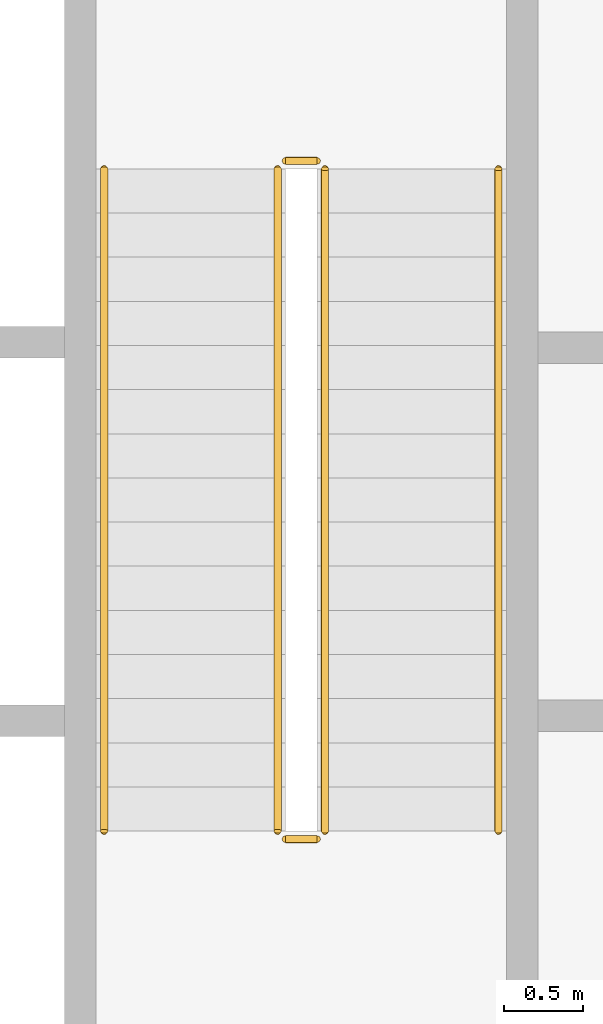
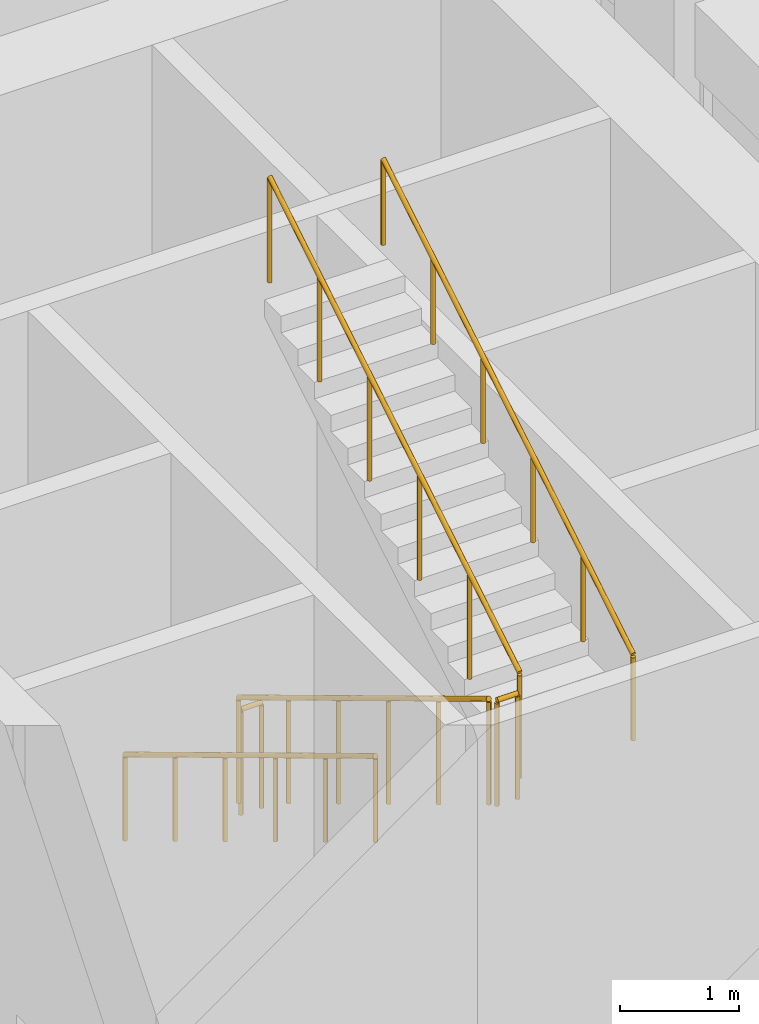
# One storey, part 27 of 28: 6 railings.
"""IFC4 building model written with IfcOpenShell, lengths in metres."""

from ifc_helpers import new_model, si_unit, direction, frame, origin, origin_2d, place, context, subcontext, project, spatial, circle, extrude, material, type_object, element, save


model = new_model("IFC4")

# Units and contexts
model_context = context("Model", 3, precision=1e-05, world=origin(), true_north=direction((0.0, 1.0)))
body_context = subcontext(model_context, "Body", "Model", "MODEL_VIEW")
ifc_project = project(units=[si_unit("LENGTHUNIT", "METRE"), si_unit("AREAUNIT", "SQUARE_METRE"), si_unit("VOLUMEUNIT", "CUBIC_METRE"), si_unit("PLANEANGLEUNIT", "RADIAN"), si_unit("MASSUNIT", "GRAM", prefix="KILO")], contexts=[model_context])

# Site, building, storey
site_placement = place(None, origin())
site = spatial("IfcSite", under=ifc_project, at=site_placement, CompositionType="ELEMENT")
building_placement = place(site_placement, origin())
building = spatial("IfcBuilding", under=site, at=building_placement, Name="Kiln Ring Residences", CompositionType="ELEMENT")
storey_placement = place(building_placement, frame((0.0, 0.0, 178.10009765625)))
storey = spatial("IfcBuildingStorey", under=building, at=storey_placement, Name="L46", CompositionType="ELEMENT", Elevation=178.10009765625)

# Railings
ifc_material_1 = material(Name="Stainless steel", Category="steel")
railing_type_1 = type_object("IfcRailingType", Name="CORE-STAIR-GUARD", PredefinedType="GUARDRAIL", material=ifc_material_1)
railing_1_placement = place(storey_placement, frame((21.949951171875, 8.39990234375, 0.168701171875)))
element("IfcRailing", 1, at=railing_1_placement, inside=storey, type_object=railing_type_1, Name="L46 E-STN stair guard 1", PredefinedType="GUARDRAIL", context=body_context, shape_type="SweptSolid", body=[
    extrude(circle(Radius=0.02392578125, at=origin_2d()), frame((0.0, 0.0, 1.076171875), z_axis=(0.0, -0.856476492594, 0.516186030065), x_axis=(1.0, 0.0, 0.0)), (0.0, 0.0, 1.0), 4.90380859375),
    extrude(circle(Radius=0.02099609375, at=origin_2d()), origin(), (0.0, 0.0, 1.0), 1.052001953125),
    extrude(circle(Radius=0.02099609375, at=origin_2d()), frame((0.0, -0.840087890625, 0.50634765625)), (0.0, 0.0, 1.0), 1.052001953125),
    extrude(circle(Radius=0.02099609375, at=origin_2d()), frame((0.0, -1.679931640625, 1.012451171875)), (0.0, 0.0, 1.0), 1.052001953125),
    extrude(circle(Radius=0.02099609375, at=origin_2d()), frame((0.0, -2.52001953125, 1.518798828125)), (0.0, 0.0, 1.0), 1.052001953125),
    extrude(circle(Radius=0.02099609375, at=origin_2d()), frame((0.0, -3.35986328125, 2.02490234375)), (0.0, 0.0, 1.0), 1.052001953125),
    extrude(circle(Radius=0.02099609375, at=origin_2d()), frame((0.0, -4.199951171875, 2.53125)), (0.0, 0.0, 1.0), 1.052001953125),
])
railing_2_placement = place(storey_placement, frame((22.0, 4.14990234375, 2.699951171875)))
element("IfcRailing", 2, at=railing_2_placement, inside=storey, type_object=railing_type_1, Name="L46 E-STN stair guard 2", PredefinedType="GUARDRAIL", context=body_context, shape_type="SweptSolid", body=[
    extrude(circle(Radius=0.02392578125, at=origin_2d()), frame((0.0, 0.0, 1.076171875), z_axis=(1.0, 0.0, 0.0), x_axis=(0.0, 1.0, 0.0)), (0.0, 0.0, 1.0), 0.199951171875),
    extrude(circle(Radius=0.02099609375, at=origin_2d()), origin(), (0.0, 0.0, 1.0), 1.052001953125),
    extrude(circle(Radius=0.02099609375, at=origin_2d()), frame((0.199951171875, 0.0, 0.0)), (0.0, 0.0, 1.0), 1.052001953125),
])
railing_3_placement = place(storey_placement, frame((22.25, 4.199951171875, 2.86865234375)))
element("IfcRailing", 3, at=railing_3_placement, inside=storey, type_object=railing_type_1, Name="L46 E-STN stair guard 3", PredefinedType="GUARDRAIL", context=body_context, shape_type="SweptSolid", body=[
    extrude(circle(Radius=0.02392578125, at=origin_2d()), frame((0.0, 0.0, 1.076171875), z_axis=(0.0, 0.856476492594, 0.516186030065), x_axis=(-1.0, 0.0, 0.0)), (0.0, 0.0, 1.0), 4.90380859375),
    extrude(circle(Radius=0.02099609375, at=origin_2d()), origin(), (0.0, 0.0, 1.0), 1.052001953125),
    extrude(circle(Radius=0.02099609375, at=origin_2d()), frame((0.0, 0.840087890625, 0.50634765625)), (0.0, 0.0, 1.0), 1.052001953125),
    extrude(circle(Radius=0.02099609375, at=origin_2d()), frame((0.0, 1.679931640625, 1.012451171875)), (0.0, 0.0, 1.0), 1.052001953125),
    extrude(circle(Radius=0.02099609375, at=origin_2d()), frame((0.0, 2.52001953125, 1.518798828125)), (0.0, 0.0, 1.0), 1.052001953125),
    extrude(circle(Radius=0.02099609375, at=origin_2d()), frame((0.0, 3.35986328125, 2.02490234375)), (0.0, 0.0, 1.0), 1.052001953125),
    extrude(circle(Radius=0.02099609375, at=origin_2d()), frame((0.0, 4.199951171875, 2.53125)), (0.0, 0.0, 1.0), 1.052001953125),
])
railing_4_placement = place(storey_placement, frame((22.0, 8.449951171875, 0.0)))
element("IfcRailing", 4, at=railing_4_placement, inside=storey, type_object=railing_type_1, Name="L46 E-STN stair guard 4", PredefinedType="GUARDRAIL", context=body_context, shape_type="SweptSolid", body=[
    extrude(circle(Radius=0.02392578125, at=origin_2d()), frame((0.0, 0.0, 1.076171875), z_axis=(1.0, 0.0, 0.0), x_axis=(0.0, 1.0, 0.0)), (0.0, 0.0, 1.0), 0.199951171875),
    extrude(circle(Radius=0.02099609375, at=origin_2d()), origin(), (0.0, 0.0, 1.0), 1.052001953125),
    extrude(circle(Radius=0.02099609375, at=origin_2d()), frame((0.199951171875, 0.0, 0.0)), (0.0, 0.0, 1.0), 1.052001953125),
])
ifc_material_2 = material(Name="Stainless steel", Category="steel")
railing_type_2 = type_object("IfcRailingType", Name="CORE-STAIR-HANDRAIL", PredefinedType="HANDRAIL", material=ifc_material_2)
railing_5_placement = place(storey_placement, frame((20.85009765625, 8.39990234375, 0.168701171875)))
element("IfcRailing", 5, at=railing_5_placement, inside=storey, type_object=railing_type_2, Name="L46 E-STN stair handrail 1", PredefinedType="HANDRAIL", context=body_context, shape_type="SweptSolid", body=[
    extrude(circle(Radius=0.02392578125, at=origin_2d()), frame((0.0, 0.0, 0.8759765625), z_axis=(0.0, -0.856476492594, 0.516186030065), x_axis=(1.0, 0.0, 0.0)), (0.0, 0.0, 1.0), 4.90380859375),
    extrude(circle(Radius=0.02099609375, at=origin_2d()), origin(), (0.0, 0.0, 1.0), 0.851806640625),
    extrude(circle(Radius=0.02099609375, at=origin_2d()), frame((0.0, -0.840087890625, 0.50634765625)), (0.0, 0.0, 1.0), 0.851806640625),
    extrude(circle(Radius=0.02099609375, at=origin_2d()), frame((0.0, -1.679931640625, 1.012451171875)), (0.0, 0.0, 1.0), 0.851806640625),
    extrude(circle(Radius=0.02099609375, at=origin_2d()), frame((0.0, -2.52001953125, 1.518798828125)), (0.0, 0.0, 1.0), 0.851806640625),
    extrude(circle(Radius=0.02099609375, at=origin_2d()), frame((0.0, -3.35986328125, 2.02490234375)), (0.0, 0.0, 1.0), 0.851806640625),
    extrude(circle(Radius=0.02099609375, at=origin_2d()), frame((0.0, -4.199951171875, 2.53125)), (0.0, 0.0, 1.0), 0.851806640625),
])
railing_6_placement = place(storey_placement, frame((23.35009765625, 4.199951171875, 2.86865234375)))
element("IfcRailing", 6, at=railing_6_placement, inside=storey, type_object=railing_type_2, Name="L46 E-STN stair handrail 2", PredefinedType="HANDRAIL", context=body_context, shape_type="SweptSolid", body=[
    extrude(circle(Radius=0.02392578125, at=origin_2d()), frame((0.0, 0.0, 0.8759765625), z_axis=(0.0, 0.856476492594, 0.516186030065), x_axis=(-1.0, 0.0, 0.0)), (0.0, 0.0, 1.0), 4.90380859375),
    extrude(circle(Radius=0.02099609375, at=origin_2d()), origin(), (0.0, 0.0, 1.0), 0.851806640625),
    extrude(circle(Radius=0.02099609375, at=origin_2d()), frame((0.0, 0.840087890625, 0.50634765625)), (0.0, 0.0, 1.0), 0.851806640625),
    extrude(circle(Radius=0.02099609375, at=origin_2d()), frame((0.0, 1.679931640625, 1.012451171875)), (0.0, 0.0, 1.0), 0.851806640625),
    extrude(circle(Radius=0.02099609375, at=origin_2d()), frame((0.0, 2.52001953125, 1.518798828125)), (0.0, 0.0, 1.0), 0.851806640625),
    extrude(circle(Radius=0.02099609375, at=origin_2d()), frame((0.0, 3.35986328125, 2.02490234375)), (0.0, 0.0, 1.0), 0.851806640625),
    extrude(circle(Radius=0.02099609375, at=origin_2d()), frame((0.0, 4.199951171875, 2.53125)), (0.0, 0.0, 1.0), 0.851806640625),
])

save(model, "model.ifc")
